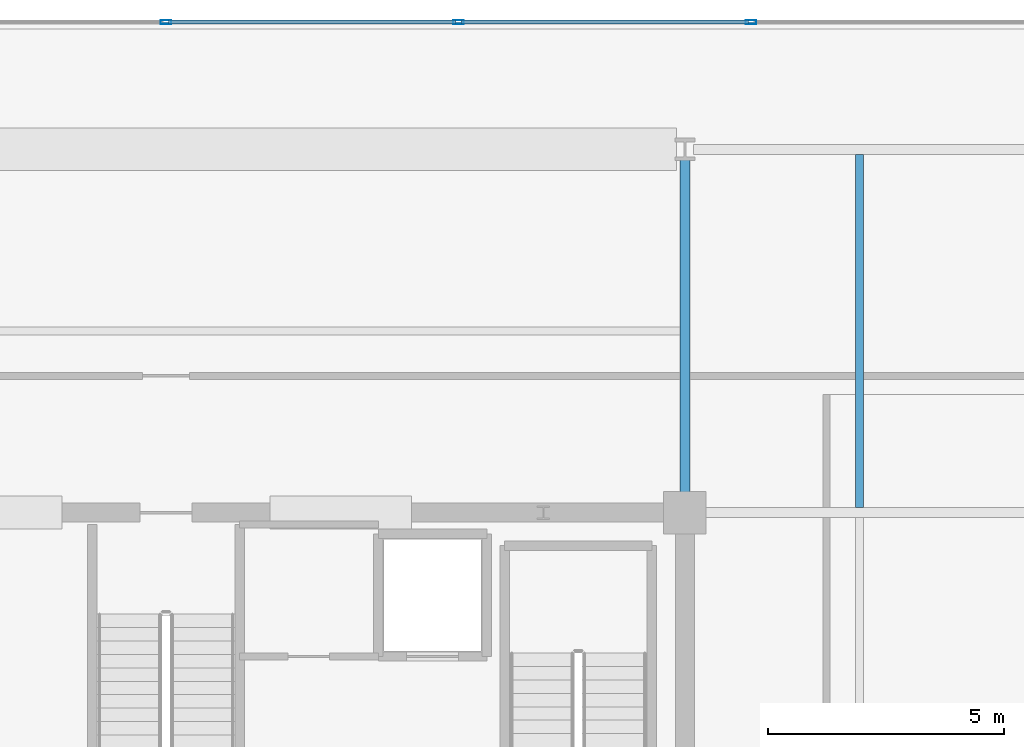
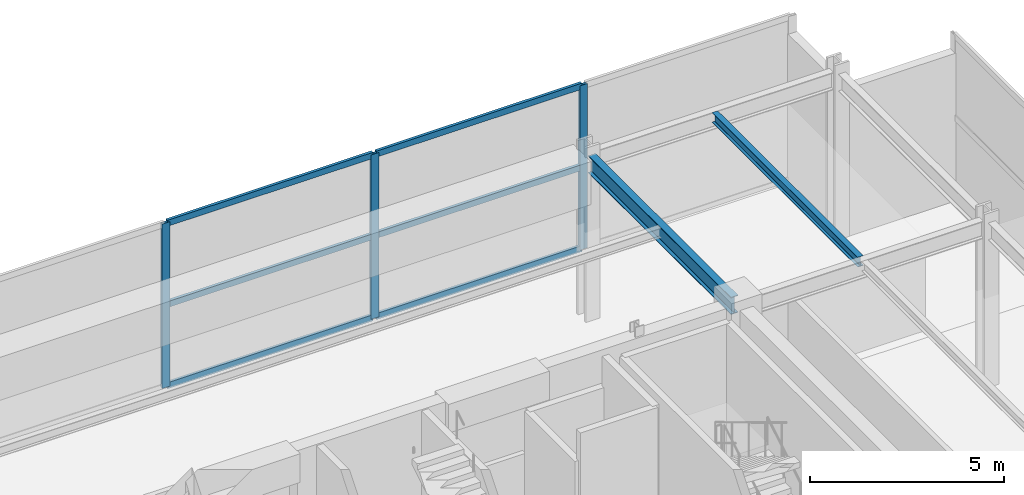
# One storey, part 15 of 24: 9 members, 2 beams, 1 element without a shape of its own.
"""IFC4 building model written with IfcOpenShell, lengths in metres."""

from ifc_helpers import new_model, si_unit, direction, frame, origin, origin_2d, place, context, subcontext, project, spatial, hollow_rectangle, i_section, extrude, material, material_profile, profile_set, type_object, element, aggregate, save


model = new_model("IFC4")

# Units and contexts
model_context = context("Model", 3, precision=1e-05, world=origin(), true_north=direction((0.0, 1.0)))
body_context = subcontext(model_context, "Body", "Model", "MODEL_VIEW")
ifc_project = project(units=[si_unit("LENGTHUNIT", "METRE"), si_unit("AREAUNIT", "SQUARE_METRE"), si_unit("VOLUMEUNIT", "CUBIC_METRE"), si_unit("PLANEANGLEUNIT", "RADIAN"), si_unit("MASSUNIT", "GRAM", prefix="KILO")], contexts=[model_context])

# Site, building, storey
site_placement = place(None, origin())
site = spatial("IfcSite", under=ifc_project, at=site_placement, CompositionType="ELEMENT")
building_placement = place(site_placement, origin())
building = spatial("IfcBuilding", under=site, at=building_placement, Name="Kovane Verandah Tower", CompositionType="ELEMENT")
storey_placement = place(building_placement, frame((0.0, 0.0, 348.800048828125)))
storey = spatial("IfcBuildingStorey", under=building, at=storey_placement, Name="L81", CompositionType="ELEMENT", Elevation=348.800048828125)

# Beam
ifc_material_1 = material(Name="Steel S355", Category="steel")
ifc_material_profile_1 = material_profile(ifc_material_1, i_section(OverallWidth=0.2119140625, OverallDepth=0.54443359375, WebThickness=0.0126953125, FlangeThickness=0.021240234375, FilletRadius=0.0126953125, at=origin_2d()), Name="UB533x210x122")
ifc_profile_set_1 = profile_set([ifc_material_profile_1], Name="Steel S355")
beam_type_1 = type_object("IfcBeamType", Name="BM-UB533x122", PredefinedType="BEAM", material=ifc_profile_set_1)
beam_1_placement = place(storey_placement, frame((51.0, 36.679931640625, 4.927734375), z_axis=(0.0, 1.0, 0.0), x_axis=(-1.0, 0.0, 0.0)))
element("IfcBeam", 1, at=beam_1_placement, inside=storey, type_object=beam_type_1, Name="L81 Primary Tower Girder G-N2", PredefinedType="BEAM", context=body_context, shape_type="SweptSolid", body=[
    extrude(i_section(OverallWidth=0.2119140625, OverallDepth=0.54443359375, WebThickness=0.0126953125, FlangeThickness=0.021240234375, FilletRadius=0.0126953125, at=origin_2d()), origin(), (0.0, 0.0, 1.0), 7.340087890625),
])

# Curtain wall, members
ifc_material_2 = material(Name="Champagne Anodised Aluminium Frame with Low-E Clear Laminated Glass", Category="aluminium")
curtain_wall_type = type_object("IfcCurtainWallType", Name="CW-SYS-06-CROWN", PredefinedType="NOTDEFINED", material=ifc_material_2)
curtain_wall_placement = place(storey_placement, origin())
curtain_wall = element("IfcCurtainWall", 2, at=curtain_wall_placement, inside=storey, type_object=curtain_wall_type, Name="L81 N Unitised Curtain Wall", PredefinedType="NOTDEFINED")
ifc_material_3 = material(Name="Champagne Anodised Aluminium 6063-T6", Category="aluminium")
ifc_material_profile_2 = material_profile(ifc_material_3, hollow_rectangle(XDim=0.0849609375, YDim=0.22998046875, WallThickness=0.00390625, at=origin_2d()), Name="AL85x230x4")
ifc_profile_set_2 = profile_set([ifc_material_profile_2], Name="Champagne Anodised Aluminium 6063-T6")
member_type_1 = type_object("IfcMemberType", Name="CW-MUL-85x230", PredefinedType="MULLION", material=ifc_profile_set_2)
member_1_placement = place(storey_placement, frame((52.39990234375, 46.89990234375, 0.02001953125), z_axis=(0.0, 0.0, 1.0), x_axis=(0.0, 1.0, 0.0)))
member_1 = element("IfcMember", 3, at=member_1_placement, type_object=member_type_1, Name="L81 N Unitised Curtain Wall Mullion 2", PredefinedType="MULLION", context=body_context, shape_type="SweptSolid", body=[
    extrude(hollow_rectangle(XDim=0.0849609375, YDim=0.22998046875, WallThickness=0.00390625, at=origin_2d()), origin(), (0.0, 0.0, 1.0), 5.159912109375),
])
member_2_placement = place(storey_placement, frame((46.199951171875, 46.89990234375, 0.02001953125), z_axis=(0.0, 0.0, 1.0), x_axis=(0.0, 1.0, 0.0)))
member_2 = element("IfcMember", 4, at=member_2_placement, type_object=member_type_1, Name="L81 N Unitised Curtain Wall Mullion 3", PredefinedType="MULLION", context=body_context, shape_type="SweptSolid", body=[
    extrude(hollow_rectangle(XDim=0.0849609375, YDim=0.22998046875, WallThickness=0.00390625, at=origin_2d()), origin(), (0.0, 0.0, 1.0), 5.159912109375),
])
member_3_placement = place(storey_placement, frame((40.0, 46.89990234375, 0.02001953125), z_axis=(0.0, 0.0, 1.0), x_axis=(0.0, 1.0, 0.0)))
member_3 = element("IfcMember", 5, at=member_3_placement, type_object=member_type_1, Name="L81 N Unitised Curtain Wall Mullion 4", PredefinedType="MULLION", context=body_context, shape_type="SweptSolid", body=[
    extrude(hollow_rectangle(XDim=0.0849609375, YDim=0.22998046875, WallThickness=0.00390625, at=origin_2d()), origin(), (0.0, 0.0, 1.0), 5.159912109375),
])
ifc_material_profile_3 = material_profile(ifc_material_3, hollow_rectangle(XDim=0.0849609375, YDim=0.18994140625, WallThickness=0.00390625, at=origin_2d()), Name="AL85x190x4")
ifc_profile_set_3 = profile_set([ifc_material_profile_3], Name="Champagne Anodised Aluminium 6063-T6")
member_type_2 = type_object("IfcMemberType", Name="CW-TRN-85x190", PredefinedType="USERDEFINED", material=ifc_profile_set_3)
member_4_placement = place(storey_placement, frame((52.35009765625, 46.89990234375, 0.050048828125), z_axis=(-1.0, 0.0, 0.0), x_axis=(0.0, -1.0, 0.0)))
member_4 = element("IfcMember", 6, at=member_4_placement, type_object=member_type_2, Name="L81 N Unitised Curtain Wall Transom TB Bay 2", ObjectType="TRANSOM", PredefinedType="USERDEFINED", context=body_context, shape_type="SweptSolid", body=[
    extrude(hollow_rectangle(XDim=0.0849609375, YDim=0.18994140625, WallThickness=0.00390625, at=origin_2d()), origin(), (0.0, 0.0, 1.0), 6.10009765625),
])
member_5_placement = place(storey_placement, frame((52.35009765625, 46.89990234375, 2.599853515625), z_axis=(-1.0, 0.0, 0.0), x_axis=(0.0, -1.0, 0.0)))
member_5 = element("IfcMember", 7, at=member_5_placement, type_object=member_type_2, Name="L81 N Unitised Curtain Wall Transom TM Bay 2", ObjectType="TRANSOM", PredefinedType="USERDEFINED", context=body_context, shape_type="SweptSolid", body=[
    extrude(hollow_rectangle(XDim=0.0849609375, YDim=0.18994140625, WallThickness=0.00390625, at=origin_2d()), origin(), (0.0, 0.0, 1.0), 6.10009765625),
])
member_6_placement = place(storey_placement, frame((52.35009765625, 46.89990234375, 5.14990234375), z_axis=(-1.0, 0.0, 0.0), x_axis=(0.0, -1.0, 0.0)))
member_6 = element("IfcMember", 8, at=member_6_placement, type_object=member_type_2, Name="L81 N Unitised Curtain Wall Transom TT Bay 2", ObjectType="TRANSOM", PredefinedType="USERDEFINED", context=body_context, shape_type="SweptSolid", body=[
    extrude(hollow_rectangle(XDim=0.0849609375, YDim=0.18994140625, WallThickness=0.00390625, at=origin_2d()), origin(), (0.0, 0.0, 1.0), 6.10009765625),
])
member_7_placement = place(storey_placement, frame((46.14990234375, 46.89990234375, 0.050048828125), z_axis=(-1.0, 0.0, 0.0), x_axis=(0.0, -1.0, 0.0)))
member_7 = element("IfcMember", 9, at=member_7_placement, type_object=member_type_2, Name="L81 N Unitised Curtain Wall Transom TB Bay 3", ObjectType="TRANSOM", PredefinedType="USERDEFINED", context=body_context, shape_type="SweptSolid", body=[
    extrude(hollow_rectangle(XDim=0.0849609375, YDim=0.18994140625, WallThickness=0.00390625, at=origin_2d()), origin(), (0.0, 0.0, 1.0), 6.099853515625),
])
member_8_placement = place(storey_placement, frame((46.14990234375, 46.89990234375, 2.599853515625), z_axis=(-1.0, 0.0, 0.0), x_axis=(0.0, -1.0, 0.0)))
member_8 = element("IfcMember", 10, at=member_8_placement, type_object=member_type_2, Name="L81 N Unitised Curtain Wall Transom TM Bay 3", ObjectType="TRANSOM", PredefinedType="USERDEFINED", context=body_context, shape_type="SweptSolid", body=[
    extrude(hollow_rectangle(XDim=0.0849609375, YDim=0.18994140625, WallThickness=0.00390625, at=origin_2d()), origin(), (0.0, 0.0, 1.0), 6.099853515625),
])
member_9_placement = place(storey_placement, frame((46.14990234375, 46.89990234375, 5.14990234375), z_axis=(-1.0, 0.0, 0.0), x_axis=(0.0, -1.0, 0.0)))
member_9 = element("IfcMember", 11, at=member_9_placement, type_object=member_type_2, Name="L81 N Unitised Curtain Wall Transom TT Bay 3", ObjectType="TRANSOM", PredefinedType="USERDEFINED", context=body_context, shape_type="SweptSolid", body=[
    extrude(hollow_rectangle(XDim=0.0849609375, YDim=0.18994140625, WallThickness=0.00390625, at=origin_2d()), origin(), (0.0, 0.0, 1.0), 6.099853515625),
])
aggregate(curtain_wall, [member_1, member_2, member_3, member_4, member_5, member_6, member_7, member_8, member_9])

# Beam
ifc_material_profile_4 = material_profile(ifc_material_1, i_section(OverallWidth=0.1669921875, OverallDepth=0.310302734375, WebThickness=0.0078125, FlangeThickness=0.013671875, FilletRadius=0.0087890625, at=origin_2d()), Name="UB305x165x54")
ifc_profile_set_4 = profile_set([ifc_material_profile_4], Name="Steel S355")
beam_type_2 = type_object("IfcBeamType", Name="JST-UB305x54", PredefinedType="JOIST", material=ifc_profile_set_4)
beam_2_placement = place(storey_placement, frame((54.699951171875, 36.60400390625, 5.044677734375), z_axis=(0.0, 1.0, 0.0), x_axis=(-1.0, 0.0, 0.0)))
element("IfcBeam", 12, at=beam_2_placement, inside=storey, type_object=beam_type_2, Name="L81 Secondary Composite Joist J-NE1", PredefinedType="JOIST", context=body_context, shape_type="SweptSolid", body=[
    extrude(i_section(OverallWidth=0.1669921875, OverallDepth=0.310302734375, WebThickness=0.0078125, FlangeThickness=0.013671875, FilletRadius=0.0087890625, at=origin_2d()), origin(), (0.0, 0.0, 1.0), 7.491943359375),
])

save(model, "model.ifc")
